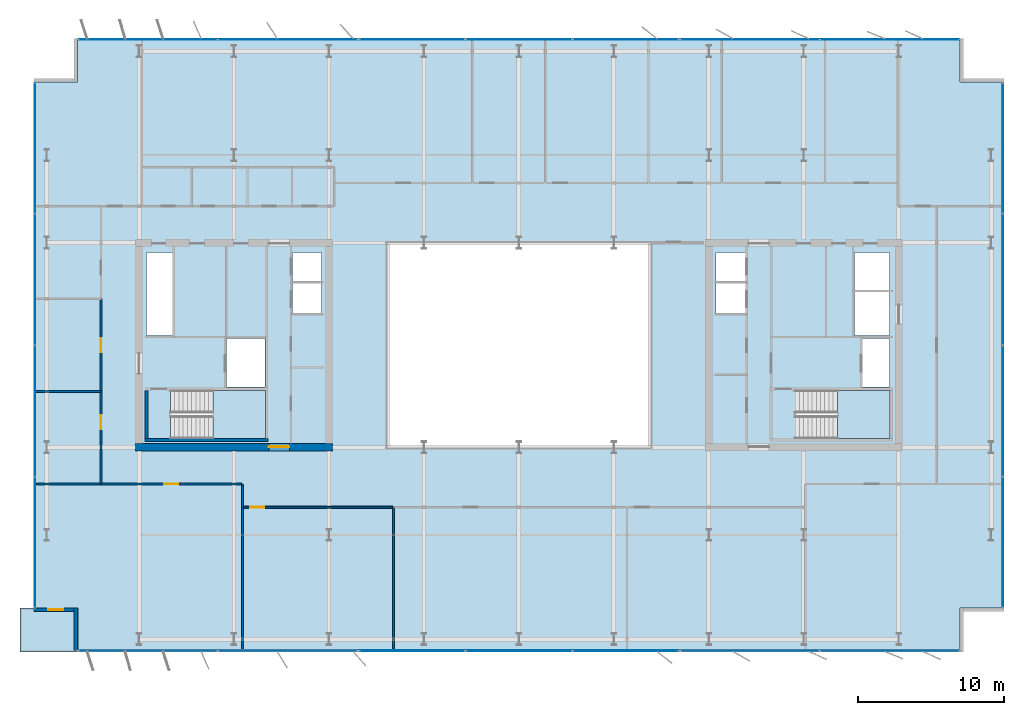
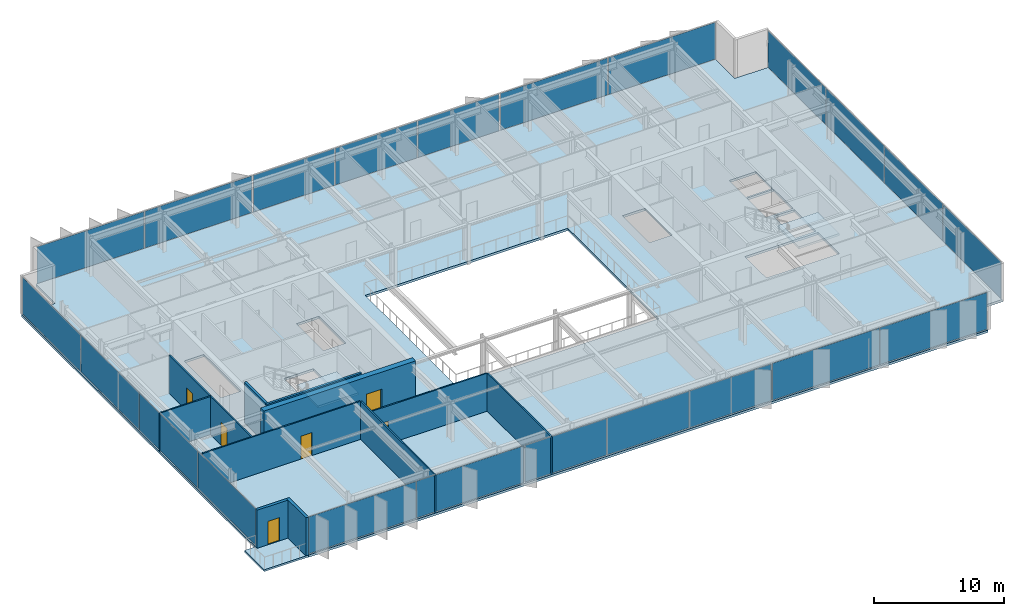
# One storey, part 16 of 23: 22 plates, 12 walls, 6 doors, 4 slabs, 6 openings, 10 elements without a shape of their own.
"""IFC4 building model written with IfcOpenShell, lengths in metres."""

from ifc_helpers import new_model, si_unit, direction, frame, frame_2d, origin, origin_2d, place, context, subcontext, project, spatial, polyline, rectangle, outline, extrude, material, layer, layer_set, type_object, element, fill, aggregate, save


model = new_model("IFC4")

# Units and contexts
model_context = context("Model", 3, precision=1e-05, world=origin(), true_north=direction((0.0, 1.0)))
body_context = subcontext(model_context, "Body", "Model", "MODEL_VIEW")
ifc_project = project(units=[si_unit("LENGTHUNIT", "METRE"), si_unit("AREAUNIT", "SQUARE_METRE"), si_unit("VOLUMEUNIT", "CUBIC_METRE"), si_unit("PLANEANGLEUNIT", "RADIAN"), si_unit("MASSUNIT", "GRAM", prefix="KILO")], contexts=[model_context])

# Site, building, storey
site_placement = place(None, origin())
site = spatial("IfcSite", under=ifc_project, at=site_placement, CompositionType="ELEMENT")
building_placement = place(site_placement, origin())
building = spatial("IfcBuilding", under=site, at=building_placement, Name="Putna Gate Headquarters", CompositionType="ELEMENT")
storey_placement = place(building_placement, frame((0.0, 0.0, 229.0)))
storey = spatial("IfcBuildingStorey", under=building, at=storey_placement, Name="L57", CompositionType="ELEMENT", Elevation=229.0)

# Stair, slab
ifc_material_1 = material(Name="Concrete C40/50", Category="concrete")
stair_type_1 = type_object("IfcStairType", Name="STAIR-ST1", PredefinedType="HALF_TURN_STAIR", material=ifc_material_1)
stair_1_placement = place(storey_placement, origin())
stair_1 = element("IfcStair", 1, at=stair_1_placement, inside=storey, type_object=stair_type_1, Name="L57 West Core Exit Stair ST1", PredefinedType="HALF_TURN_STAIR")
ifc_layer_1 = layer(ifc_material_1, 0.199951171875)
ifc_layer_set_1 = layer_set([ifc_layer_1], Name="Concrete C40/50")
slab_type_1 = type_object("IfcSlabType", Name="LANDING-ST1", PredefinedType="LANDING", material=ifc_layer_set_1)
slab_1_placement = place(storey_placement, frame((0.0, 0.0, 1.699951171875)))
slab_1 = element("IfcSlab", 2, at=slab_1_placement, type_object=slab_type_1, Name="ST1 landing 1", PredefinedType="LANDING", context=body_context, shape_type="SweptSolid", body=[
    extrude(outline(polyline([(18.050048828125, 19.60009765625), (21.64990234375, 19.60009765625), (21.64990234375, 22.89990234375), (18.050048828125, 22.89990234375), (18.050048828125, 19.60009765625)])), origin(), (0.0, 0.0, 1.0), 0.199951171875),
])
aggregate(stair_1, [slab_1])

stair_type_2 = type_object("IfcStairType", Name="STAIR-ST2", PredefinedType="HALF_TURN_STAIR", material=ifc_material_1)
stair_2_placement = place(storey_placement, origin())
stair_2 = element("IfcStair", 3, at=stair_2_placement, inside=storey, type_object=stair_type_2, Name="L57 East Core Exit Stair ST2", PredefinedType="HALF_TURN_STAIR")
ifc_layer_2 = layer(ifc_material_1, 0.199951171875)
ifc_layer_set_2 = layer_set([ifc_layer_2], Name="Concrete C40/50")
slab_type_2 = type_object("IfcSlabType", Name="LANDING-ST2", PredefinedType="LANDING", material=ifc_layer_set_2)
slab_2_placement = place(storey_placement, frame((0.0, 0.0, 1.699951171875)))
slab_2 = element("IfcSlab", 4, at=slab_2_placement, type_object=slab_type_2, Name="ST2 landing 1", PredefinedType="LANDING", context=body_context, shape_type="SweptSolid", body=[
    extrude(outline(polyline([(60.800048828125, 19.60009765625), (64.39990234375, 19.60009765625), (64.39990234375, 22.89990234375), (60.800048828125, 22.89990234375), (60.800048828125, 19.60009765625)])), origin(), (0.0, 0.0, 1.0), 0.199951171875),
])
aggregate(stair_2, [slab_2])

# Curtain wall, plates
ifc_material_2 = material(Name="Anodised bronze aluminium curtain wall", Category="aluminium")
ifc_layer_3 = layer(ifc_material_2, 0.139892578125)
ifc_layer_set_3 = layer_set([ifc_layer_3], Name="Anodised bronze aluminium curtain wall")
curtain_wall_type_1 = type_object("IfcCurtainWallType", Name="CW-SYS-Z4", PredefinedType="USERDEFINED", material=ifc_layer_set_3)
curtain_wall_1_placement = place(storey_placement, origin())
curtain_wall_1 = element("IfcCurtainWall", 5, at=curtain_wall_1_placement, inside=storey, type_object=curtain_wall_type_1, Name="L57 South West Curtain Wall", ObjectType="STICK CURTAIN WALL", PredefinedType="USERDEFINED")
ifc_material_3 = material(Name="Solar-control triple low-E glass", Category="glass")
ifc_layer_4 = layer(ifc_material_3, 0.02587890625)
ifc_layer_set_4 = layer_set([ifc_layer_4], Name="Solar-control triple low-E glass")
plate_type_1 = type_object("IfcPlateType", Name="PAN-CWP-4", PredefinedType="CURTAIN_PANEL", material=ifc_layer_set_4)
plate_1_placement = place(storey_placement, frame((13.614990234375, 5.080078125, 0.06005859375), z_axis=(0.0, 0.0, 1.0), x_axis=(1.0, 0.0, 0.0)))
plate_1 = element("IfcPlate", 6, at=plate_1_placement, type_object=plate_type_1, Name="CWS-4 panel 1.1", PredefinedType="CURTAIN_PANEL", context=body_context, shape_type="SweptSolid", body=[
    extrude(rectangle(XDim=9.510009765625, YDim=0.02587890625, at=origin_2d()), origin(), (0.0, 0.0, 1.0), 3.4599609375),
])
plate_2_placement = place(storey_placement, frame((23.18505859375, 5.080078125, 0.06005859375), z_axis=(0.0, 0.0, 1.0), x_axis=(1.0, 0.0, 0.0)))
plate_2 = element("IfcPlate", 7, at=plate_2_placement, type_object=plate_type_1, Name="CWS-4 panel 2.1", PredefinedType="CURTAIN_PANEL", context=body_context, shape_type="SweptSolid", body=[
    extrude(rectangle(XDim=9.510009765625, YDim=0.02587890625, at=origin_2d()), origin(), (0.0, 0.0, 1.0), 3.4599609375),
])
aggregate(curtain_wall_1, [plate_1, plate_2])

curtain_wall_2_placement = place(storey_placement, origin())
curtain_wall_2 = element("IfcCurtainWall", 8, at=curtain_wall_2_placement, inside=storey, type_object=curtain_wall_type_1, Name="L57 South East Curtain Wall", ObjectType="STICK CURTAIN WALL", PredefinedType="USERDEFINED")
plate_3_placement = place(storey_placement, frame((54.81494140625, 5.080078125, 0.06005859375), z_axis=(0.0, 0.0, 1.0), x_axis=(1.0, 0.0, 0.0)))
plate_3 = element("IfcPlate", 9, at=plate_3_placement, type_object=plate_type_1, Name="CWS-4 panel 1.1", PredefinedType="CURTAIN_PANEL", context=body_context, shape_type="SweptSolid", body=[
    extrude(rectangle(XDim=9.510009765625, YDim=0.02587890625, at=origin_2d()), origin(), (0.0, 0.0, 1.0), 3.4599609375),
])
plate_4_placement = place(storey_placement, frame((64.385009765625, 5.080078125, 0.06005859375), z_axis=(0.0, 0.0, 1.0), x_axis=(1.0, 0.0, 0.0)))
plate_4 = element("IfcPlate", 10, at=plate_4_placement, type_object=plate_type_1, Name="CWS-4 panel 2.1", PredefinedType="CURTAIN_PANEL", context=body_context, shape_type="SweptSolid", body=[
    extrude(rectangle(XDim=9.510009765625, YDim=0.02587890625, at=origin_2d()), origin(), (0.0, 0.0, 1.0), 3.4599609375),
])
aggregate(curtain_wall_2, [plate_3, plate_4])

curtain_wall_3_placement = place(storey_placement, origin())
curtain_wall_3 = element("IfcCurtainWall", 11, at=curtain_wall_3_placement, inside=storey, type_object=curtain_wall_type_1, Name="L57 North West Curtain Wall", ObjectType="STICK CURTAIN WALL", PredefinedType="USERDEFINED")
plate_5_placement = place(storey_placement, frame((13.614990234375, 46.919921875, 0.06005859375), z_axis=(0.0, 0.0, 1.0), x_axis=(1.0, 0.0, 0.0)))
plate_5 = element("IfcPlate", 12, at=plate_5_placement, type_object=plate_type_1, Name="CWS-4 panel 1.1", PredefinedType="CURTAIN_PANEL", context=body_context, shape_type="SweptSolid", body=[
    extrude(rectangle(XDim=9.510009765625, YDim=0.02587890625, at=origin_2d()), origin(), (0.0, 0.0, 1.0), 3.4599609375),
])
plate_6_placement = place(storey_placement, frame((23.18505859375, 46.919921875, 0.06005859375), z_axis=(0.0, 0.0, 1.0), x_axis=(1.0, 0.0, 0.0)))
plate_6 = element("IfcPlate", 13, at=plate_6_placement, type_object=plate_type_1, Name="CWS-4 panel 2.1", PredefinedType="CURTAIN_PANEL", context=body_context, shape_type="SweptSolid", body=[
    extrude(rectangle(XDim=9.510009765625, YDim=0.02587890625, at=origin_2d()), origin(), (0.0, 0.0, 1.0), 3.4599609375),
])
aggregate(curtain_wall_3, [plate_5, plate_6])

curtain_wall_4_placement = place(storey_placement, origin())
curtain_wall_4 = element("IfcCurtainWall", 14, at=curtain_wall_4_placement, inside=storey, type_object=curtain_wall_type_1, Name="L57 North East Curtain Wall", ObjectType="STICK CURTAIN WALL", PredefinedType="USERDEFINED")
plate_7_placement = place(storey_placement, frame((54.81494140625, 46.919921875, 0.06005859375), z_axis=(0.0, 0.0, 1.0), x_axis=(1.0, 0.0, 0.0)))
plate_7 = element("IfcPlate", 15, at=plate_7_placement, type_object=plate_type_1, Name="CWS-4 panel 1.1", PredefinedType="CURTAIN_PANEL", context=body_context, shape_type="SweptSolid", body=[
    extrude(rectangle(XDim=9.510009765625, YDim=0.02587890625, at=origin_2d()), origin(), (0.0, 0.0, 1.0), 3.4599609375),
])
plate_8_placement = place(storey_placement, frame((64.385009765625, 46.919921875, 0.06005859375), z_axis=(0.0, 0.0, 1.0), x_axis=(1.0, 0.0, 0.0)))
plate_8 = element("IfcPlate", 16, at=plate_8_placement, type_object=plate_type_1, Name="CWS-4 panel 2.1", PredefinedType="CURTAIN_PANEL", context=body_context, shape_type="SweptSolid", body=[
    extrude(rectangle(XDim=9.510009765625, YDim=0.02587890625, at=origin_2d()), origin(), (0.0, 0.0, 1.0), 3.4599609375),
])
aggregate(curtain_wall_4, [plate_7, plate_8])

curtain_wall_5_placement = place(storey_placement, origin())
curtain_wall_5 = element("IfcCurtainWall", 17, at=curtain_wall_5_placement, inside=storey, type_object=curtain_wall_type_1, Name="L57 West Curtain Wall", ObjectType="STICK CURTAIN WALL", PredefinedType="USERDEFINED")
plate_9_placement = place(storey_placement, frame((5.8798828125, 12.514892578125, 0.06005859375), z_axis=(0.0, 0.0, 1.0), x_axis=(0.0, 1.0, 0.0)))
plate_9 = element("IfcPlate", 18, at=plate_9_placement, type_object=plate_type_1, Name="CWS-4 panel 1.1", PredefinedType="CURTAIN_PANEL", context=body_context, shape_type="SweptSolid", body=[
    extrude(rectangle(XDim=8.909912109375, YDim=0.02587890625, at=origin_2d()), origin(), (0.0, 0.0, 1.0), 3.4599609375),
])
plate_10_placement = place(storey_placement, frame((5.8798828125, 21.5, 0.06005859375), z_axis=(0.0, 0.0, 1.0), x_axis=(0.0, 1.0, 0.0)))
plate_10 = element("IfcPlate", 19, at=plate_10_placement, type_object=plate_type_1, Name="CWS-4 panel 2.1", PredefinedType="CURTAIN_PANEL", context=body_context, shape_type="SweptSolid", body=[
    extrude(rectangle(XDim=8.93994140625, YDim=0.02587890625, at=origin_2d()), origin(), (0.0, 0.0, 1.0), 3.4599609375),
])
plate_11_placement = place(storey_placement, frame((5.8798828125, 30.5, 0.06005859375), z_axis=(0.0, 0.0, 1.0), x_axis=(0.0, 1.0, 0.0)))
plate_11 = element("IfcPlate", 20, at=plate_11_placement, type_object=plate_type_1, Name="CWS-4 panel 3.1", PredefinedType="CURTAIN_PANEL", context=body_context, shape_type="SweptSolid", body=[
    extrude(rectangle(XDim=8.93994140625, YDim=0.02587890625, at=origin_2d()), origin(), (0.0, 0.0, 1.0), 3.4599609375),
])
plate_12_placement = place(storey_placement, frame((5.8798828125, 39.485107421875, 0.06005859375), z_axis=(0.0, 0.0, 1.0), x_axis=(0.0, 1.0, 0.0)))
plate_12 = element("IfcPlate", 21, at=plate_12_placement, type_object=plate_type_1, Name="CWS-4 panel 4.1", PredefinedType="CURTAIN_PANEL", context=body_context, shape_type="SweptSolid", body=[
    extrude(rectangle(XDim=8.909912109375, YDim=0.02587890625, at=origin_2d()), origin(), (0.0, 0.0, 1.0), 3.4599609375),
])
aggregate(curtain_wall_5, [plate_9, plate_10, plate_11, plate_12])

curtain_wall_6_placement = place(storey_placement, origin())
curtain_wall_6 = element("IfcCurtainWall", 22, at=curtain_wall_6_placement, inside=storey, type_object=curtain_wall_type_1, Name="L57 East Curtain Wall", ObjectType="STICK CURTAIN WALL", PredefinedType="USERDEFINED")
plate_13_placement = place(storey_placement, frame((72.1201171875, 12.514892578125, 0.06005859375), z_axis=(0.0, 0.0, 1.0), x_axis=(0.0, 1.0, 0.0)))
plate_13 = element("IfcPlate", 23, at=plate_13_placement, type_object=plate_type_1, Name="CWS-4 panel 1.1", PredefinedType="CURTAIN_PANEL", context=body_context, shape_type="SweptSolid", body=[
    extrude(rectangle(XDim=8.909912109375, YDim=0.02587890625, at=origin_2d()), origin(), (0.0, 0.0, 1.0), 3.4599609375),
])
plate_14_placement = place(storey_placement, frame((72.1201171875, 21.5, 0.06005859375), z_axis=(0.0, 0.0, 1.0), x_axis=(0.0, 1.0, 0.0)))
plate_14 = element("IfcPlate", 24, at=plate_14_placement, type_object=plate_type_1, Name="CWS-4 panel 2.1", PredefinedType="CURTAIN_PANEL", context=body_context, shape_type="SweptSolid", body=[
    extrude(rectangle(XDim=8.93994140625, YDim=0.02587890625, at=origin_2d()), origin(), (0.0, 0.0, 1.0), 3.4599609375),
])
plate_15_placement = place(storey_placement, frame((72.1201171875, 30.5, 0.06005859375), z_axis=(0.0, 0.0, 1.0), x_axis=(0.0, 1.0, 0.0)))
plate_15 = element("IfcPlate", 25, at=plate_15_placement, type_object=plate_type_1, Name="CWS-4 panel 3.1", PredefinedType="CURTAIN_PANEL", context=body_context, shape_type="SweptSolid", body=[
    extrude(rectangle(XDim=8.93994140625, YDim=0.02587890625, at=origin_2d()), origin(), (0.0, 0.0, 1.0), 3.4599609375),
])
plate_16_placement = place(storey_placement, frame((72.1201171875, 39.485107421875, 0.06005859375), z_axis=(0.0, 0.0, 1.0), x_axis=(0.0, 1.0, 0.0)))
plate_16 = element("IfcPlate", 26, at=plate_16_placement, type_object=plate_type_1, Name="CWS-4 panel 4.1", PredefinedType="CURTAIN_PANEL", context=body_context, shape_type="SweptSolid", body=[
    extrude(rectangle(XDim=8.909912109375, YDim=0.02587890625, at=origin_2d()), origin(), (0.0, 0.0, 1.0), 3.4599609375),
])
aggregate(curtain_wall_6, [plate_13, plate_14, plate_15, plate_16])

ifc_layer_5 = layer(ifc_material_2, 0.179931640625)
ifc_layer_set_5 = layer_set([ifc_layer_5], Name="Anodised bronze aluminium curtain wall")
curtain_wall_type_2 = type_object("IfcCurtainWallType", Name="CW-SYS-ATR", PredefinedType="USERDEFINED", material=ifc_layer_set_5)
curtain_wall_7_placement = place(storey_placement, origin())
curtain_wall_7 = element("IfcCurtainWall", 27, at=curtain_wall_7_placement, inside=storey, type_object=curtain_wall_type_2, Name="L57 South Atrium Clear Glazing", ObjectType="ATRIUM GLAZING", PredefinedType="USERDEFINED")
ifc_material_4 = material(Name="Clear low-iron triple glazing", Category="glass")
ifc_layer_6 = layer(ifc_material_4, 0.0400390625)
ifc_layer_set_6 = layer_set([ifc_layer_6], Name="Clear low-iron triple glazing")
plate_type_2 = type_object("IfcPlateType", Name="PAN-CWP-AT", PredefinedType="CURTAIN_PANEL", material=ifc_layer_set_6)
plate_17_placement = place(storey_placement, frame((31.68408203125, 5.080078125, 0.070068359375), z_axis=(0.0, 0.0, 1.0), x_axis=(1.0, 0.0, 0.0)))
plate_17 = element("IfcPlate", 28, at=plate_17_placement, type_object=plate_type_2, Name="CWS-AT panel 1.1", PredefinedType="CURTAIN_PANEL", context=body_context, shape_type="SweptSolid", body=[
    extrude(rectangle(XDim=7.228271484375, YDim=0.0400390625, at=origin_2d()), origin(), (0.0, 0.0, 1.0), 3.43994140625),
])
plate_18_placement = place(storey_placement, frame((39.0, 5.080078125, 0.070068359375), z_axis=(0.0, 0.0, 1.0), x_axis=(1.0, 0.0, 0.0)))
plate_18 = element("IfcPlate", 29, at=plate_18_placement, type_object=plate_type_2, Name="CWS-AT panel 2.1", PredefinedType="CURTAIN_PANEL", context=body_context, shape_type="SweptSolid", body=[
    extrude(rectangle(XDim=7.263427734375, YDim=0.0400390625, at=origin_2d()), origin(), (0.0, 0.0, 1.0), 3.43994140625),
])
plate_19_placement = place(storey_placement, frame((46.31591796875, 5.080078125, 0.070068359375), z_axis=(0.0, 0.0, 1.0), x_axis=(1.0, 0.0, 0.0)))
plate_19 = element("IfcPlate", 30, at=plate_19_placement, type_object=plate_type_2, Name="CWS-AT panel 3.1", PredefinedType="CURTAIN_PANEL", context=body_context, shape_type="SweptSolid", body=[
    extrude(rectangle(XDim=7.228271484375, YDim=0.0400390625, at=origin_2d()), origin(), (0.0, 0.0, 1.0), 3.43994140625),
])
aggregate(curtain_wall_7, [plate_17, plate_18, plate_19])

curtain_wall_8_placement = place(storey_placement, origin())
curtain_wall_8 = element("IfcCurtainWall", 31, at=curtain_wall_8_placement, inside=storey, type_object=curtain_wall_type_2, Name="L57 North Atrium Clear Glazing", ObjectType="ATRIUM GLAZING", PredefinedType="USERDEFINED")
plate_20_placement = place(storey_placement, frame((31.68408203125, 46.919921875, 0.070068359375), z_axis=(0.0, 0.0, 1.0), x_axis=(1.0, 0.0, 0.0)))
plate_20 = element("IfcPlate", 32, at=plate_20_placement, type_object=plate_type_2, Name="CWS-AT panel 1.1", PredefinedType="CURTAIN_PANEL", context=body_context, shape_type="SweptSolid", body=[
    extrude(rectangle(XDim=7.228271484375, YDim=0.0400390625, at=origin_2d()), origin(), (0.0, 0.0, 1.0), 3.43994140625),
])
plate_21_placement = place(storey_placement, frame((39.0, 46.919921875, 0.070068359375), z_axis=(0.0, 0.0, 1.0), x_axis=(1.0, 0.0, 0.0)))
plate_21 = element("IfcPlate", 33, at=plate_21_placement, type_object=plate_type_2, Name="CWS-AT panel 2.1", PredefinedType="CURTAIN_PANEL", context=body_context, shape_type="SweptSolid", body=[
    extrude(rectangle(XDim=7.263427734375, YDim=0.0400390625, at=origin_2d()), origin(), (0.0, 0.0, 1.0), 3.43994140625),
])
plate_22_placement = place(storey_placement, frame((46.31591796875, 46.919921875, 0.070068359375), z_axis=(0.0, 0.0, 1.0), x_axis=(1.0, 0.0, 0.0)))
plate_22 = element("IfcPlate", 34, at=plate_22_placement, type_object=plate_type_2, Name="CWS-AT panel 3.1", PredefinedType="CURTAIN_PANEL", context=body_context, shape_type="SweptSolid", body=[
    extrude(rectangle(XDim=7.228271484375, YDim=0.0400390625, at=origin_2d()), origin(), (0.0, 0.0, 1.0), 3.43994140625),
])
aggregate(curtain_wall_8, [plate_20, plate_21, plate_22])

# Slabs
ifc_layer_7 = layer(ifc_material_1, 0.179931640625)
ifc_layer_set_7 = layer_set([ifc_layer_7], Name="Concrete C40/50")
slab_type_3 = type_object("IfcSlabType", Name="SLAB-TERRACE-180", PredefinedType="FLOOR", material=ifc_layer_set_7)
slab_3_placement = place(storey_placement, frame((0.0, 0.0, -0.179931640625)))
element("IfcSlab", 35, at=slab_3_placement, inside=storey, type_object=slab_type_3, Name="L57 Spiral Sky-Garden Terrace Slab (SW)", PredefinedType="FLOOR", context=body_context, shape_type="SweptSolid", body=[
    extrude(outline(polyline([(4.85009765625, 5.0), (8.80810546875, 5.0), (8.80810546875, 8.008056640625), (4.85009765625, 8.008056640625), (4.85009765625, 5.0)])), origin(), (0.0, 0.0, 1.0), 0.179931640625),
])
ifc_layer_8 = layer(ifc_material_1, 0.219970703125)
ifc_layer_set_8 = layer_set([ifc_layer_8], Name="Concrete C40/50")
slab_type_4 = type_object("IfcSlabType", Name="SLAB-Z4-220", PredefinedType="FLOOR", material=ifc_layer_set_8)
slab_4_placement = place(storey_placement, frame((0.0, 0.0, -0.219970703125)))
element("IfcSlab", 36, at=slab_4_placement, inside=storey, type_object=slab_type_4, Name="L57 Composite Floor Slab", PredefinedType="FLOOR", context=body_context, shape_type="SweptSolid", body=[
    extrude(outline(polyline([(8.800048828125, 5.0), (69.199951171875, 5.0), (69.199951171875, 8.0), (72.199951171875, 8.0), (72.199951171875, 44.0), (69.199951171875, 44.0), (69.199951171875, 47.0), (8.800048828125, 47.0), (8.800048828125, 44.0), (5.800048828125, 44.0), (5.800048828125, 8.0), (8.800048828125, 8.0), (8.800048828125, 5.0)]), holes=[polyline([(15.1650390625, 19.60009765625), (21.64990234375, 19.60009765625), (21.64990234375, 22.89990234375), (15.1650390625, 22.89990234375), (15.1650390625, 19.60009765625)]), polyline([(57.9150390625, 19.60009765625), (64.39990234375, 19.60009765625), (64.39990234375, 22.89990234375), (57.9150390625, 22.89990234375), (57.9150390625, 19.60009765625)]), polyline([(13.52001953125, 26.659912109375), (15.280029296875, 26.659912109375), (15.280029296875, 32.35009765625), (13.52001953125, 32.35009765625), (13.52001953125, 26.659912109375)]), polyline([(61.969970703125, 29.780029296875), (64.35009765625, 29.780029296875), (64.35009765625, 32.35009765625), (61.969970703125, 32.35009765625), (61.969970703125, 29.780029296875)]), polyline([(18.97998046875, 23.1201171875), (21.6201171875, 23.1201171875), (21.6201171875, 26.4599609375), (18.97998046875, 26.4599609375), (18.97998046875, 23.1201171875)]), polyline([(62.52001953125, 23.1201171875), (64.35009765625, 23.1201171875), (64.35009765625, 26.4599609375), (62.52001953125, 26.4599609375), (62.52001953125, 23.1201171875)]), polyline([(61.969970703125, 26.659912109375), (64.35009765625, 26.659912109375), (64.35009765625, 29.6201171875), (61.969970703125, 29.6201171875), (61.969970703125, 26.659912109375)]), polyline([(23.5, 28.199951171875), (25.5, 28.199951171875), (25.5, 32.35009765625), (23.5, 32.35009765625), (23.5, 28.199951171875)]), polyline([(52.47998046875, 28.199951171875), (54.5, 28.199951171875), (54.5, 32.35009765625), (52.47998046875, 32.35009765625), (52.47998046875, 28.199951171875)]), polyline([(30.0, 19.0), (48.0, 19.0), (48.0, 33.0), (30.0, 33.0), (30.0, 19.0)])]), origin(), (0.0, 0.0, 1.0), 0.219970703125),
])

# Wall, opening, door
ifc_material_5 = material(Name="Concrete C50/60", Category="concrete")
ifc_layer_9 = layer(ifc_material_5, 0.5)
ifc_layer_set_9 = layer_set([ifc_layer_9], Name="Concrete C50/60")
wall_type_1 = type_object("IfcWallType", Name="WALL-CORE-500", PredefinedType="SHEAR", material=ifc_layer_set_9)
wall_1_placement = place(storey_placement, frame((12.75, 19.0, 0.0), z_axis=(0.0, 0.0, 1.0), x_axis=(1.0, 0.0, 0.0)))
wall_1 = element("IfcWall", 37, at=wall_1_placement, inside=storey, type_object=wall_type_1, Name="L57 WC Split Core Shear Wall S", PredefinedType="SHEAR", context=body_context, shape_type="SweptSolid", body=[
    extrude(rectangle(XDim=13.5, YDim=0.5, at=frame_2d((6.75, 0.0))), origin(), (0.0, 0.0, 1.0), 3.800048828125),
])
opening_1_placement = place(wall_1_placement, frame((9.1298828125, 0.0, 0.0)))
opening_1 = element("IfcOpeningElement", 38, at=opening_1_placement, cuts=wall_1, Name="Opening FDD-140", PredefinedType="OPENING", context=body_context, shape_type="SweptSolid", body=[
    extrude(rectangle(XDim=1.39990234375, YDim=2.199951171875, at=frame_2d((0.699951171875, 1.10009765625))), frame((0.0, 0.260009765625, 0.0), z_axis=(0.0, -1.0, 0.0), x_axis=(1.0, 0.0, 0.0)), (0.0, 0.0, 1.0), 0.52001953125),
])
ifc_material_6 = material(Name="Double steel fire door", Category="steel")
door_type_1 = type_object("IfcDoorType", Name="DOOR-FIRE-DBL-1400", OperationType="DOUBLE_DOOR_SINGLE_SWING", PredefinedType="DOOR", material=ifc_material_6)
door_1_placement = place(opening_1_placement, origin())
door_1 = element("IfcDoor", 39, at=door_1_placement, inside=storey, type_object=door_type_1, Name="L57 West Lift Lobby South Door", OperationType="DOUBLE_DOOR_SINGLE_SWING", OverallHeight=2.199951171875, OverallWidth=1.39990234375, PredefinedType="DOOR", context=body_context, shape_type="SweptSolid", body=[
    extrude(rectangle(XDim=1.39990234375, YDim=2.199951171875, at=frame_2d((0.699951171875, 1.10009765625))), frame((0.0, 0.0751953125, 0.0), z_axis=(0.0, -1.0, 0.0), x_axis=(1.0, 0.0, 0.0)), (0.0, 0.0, 1.0), 0.050048828125),
])
fill(opening_1, door_1)

# Wall
ifc_material_7 = material(Name="Precast concrete C40/50", Category="concrete")
ifc_layer_10 = layer(ifc_material_7, 0.239990234375)
ifc_layer_set_10 = layer_set([ifc_layer_10], Name="Precast concrete C40/50")
wall_type_2 = type_object("IfcWallType", Name="WALL-EXT-TERR-240", PredefinedType="STANDARD", material=ifc_layer_set_10)
wall_2_placement = place(storey_placement, frame((8.679931640625, 5.0, 0.0), z_axis=(0.0, 0.0, 1.0), x_axis=(0.0, 1.0, 0.0)))
element("IfcWall", 40, at=wall_2_placement, inside=storey, type_object=wall_type_2, Name="L57 Corner Notch Return Wall SW-V", PredefinedType="STANDARD", context=body_context, shape_type="SweptSolid", body=[
    extrude(rectangle(XDim=3.0, YDim=0.239990234375, at=frame_2d((1.5, 0.0))), origin(), (0.0, 0.0, 1.0), 3.580078125),
])

# Wall, opening, door
wall_3_placement = place(storey_placement, frame((8.800048828125, 7.8798828125, 0.0), z_axis=(0.0, 0.0, 1.0), x_axis=(-1.0, 0.0, 0.0)))
wall_3 = element("IfcWall", 41, at=wall_3_placement, inside=storey, type_object=wall_type_2, Name="L57 Corner Notch Return Wall SW-H", PredefinedType="STANDARD", context=body_context, shape_type="SweptSolid", body=[
    extrude(rectangle(XDim=3.0, YDim=0.239990234375, at=frame_2d((1.5, 0.0))), origin(), (0.0, 0.0, 1.0), 3.580078125),
])
opening_2_placement = place(wall_3_placement, frame((1.0, 0.0, 0.0)))
opening_2 = element("IfcOpeningElement", 42, at=opening_2_placement, cuts=wall_3, Name="Opening TRD-1", PredefinedType="OPENING", context=body_context, shape_type="SweptSolid", body=[
    extrude(rectangle(XDim=1.0, YDim=2.199951171875, at=frame_2d((0.5, 1.10009765625))), frame((0.0, 0.1298828125, 0.0), z_axis=(0.0, -1.0, 0.0), x_axis=(1.0, 0.0, 0.0)), (0.0, 0.0, 1.0), 0.260009765625),
])
ifc_material_8 = material(Name="Thermally broken bronze glazed terrace door")
door_type_2 = type_object("IfcDoorType", Name="DOOR-TERR-EXT-1000", OperationType="NOTDEFINED", PredefinedType="DOOR", material=ifc_material_8)
door_2_placement = place(opening_2_placement, origin())
door_2 = element("IfcDoor", 43, at=door_2_placement, inside=storey, type_object=door_type_2, Name="L57 Spiral Sky Terrace Door SW", OperationType="SINGLE_SWING_LEFT", OverallHeight=2.199951171875, OverallWidth=1.0, PredefinedType="DOOR", context=body_context, shape_type="SweptSolid", body=[
    extrude(rectangle(XDim=1.0, YDim=2.199951171875, at=frame_2d((0.5, 1.10009765625))), frame((0.0, 0.02490234375, 0.0), z_axis=(0.0, -1.0, 0.0), x_axis=(1.0, 0.0, 0.0)), (0.0, 0.0, 1.0), 0.050048828125),
])
fill(opening_2, door_2)

# Walls
ifc_material_9 = material(Name="Acoustic gypsum board on metal stud")
ifc_layer_11 = layer(ifc_material_9, 0.1201171875)
ifc_layer_set_11 = layer_set([ifc_layer_11], Name="Acoustic gypsum board on metal stud")
wall_type_3 = type_object("IfcWallType", Name="WALL-PART-120", PredefinedType="PARTITIONING", material=ifc_layer_set_11)
wall_4_placement = place(storey_placement, frame((20.07958984375, 5.02001953125, 0.0), z_axis=(0.0, 0.0, 1.0), x_axis=(0.0, 1.0, 0.0)))
element("IfcWall", 44, at=wall_4_placement, inside=storey, type_object=wall_type_3, Name="L57 Interior Wall PART-L57-SB-DIV-01", PredefinedType="PARTITIONING", context=body_context, shape_type="SweptSolid", body=[
    extrude(rectangle(XDim=11.419921875, YDim=0.1201171875, at=frame_2d((5.7099609375, 0.0))), origin(), (0.0, 0.0, 1.0), 3.580078125),
])
wall_5_placement = place(storey_placement, frame((30.408203125, 5.02001953125, 0.0), z_axis=(0.0, 0.0, 1.0), x_axis=(0.0, 1.0, 0.0)))
element("IfcWall", 45, at=wall_5_placement, inside=storey, type_object=wall_type_3, Name="L57 Interior Wall PART-L57-SB-DIV-02", PredefinedType="PARTITIONING", context=body_context, shape_type="SweptSolid", body=[
    extrude(rectangle(XDim=9.820068359375, YDim=0.1201171875, at=frame_2d((4.91015625, 0.0))), origin(), (0.0, 0.0, 1.0), 3.580078125),
])
wall_6_placement = place(storey_placement, frame((5.820068359375, 22.833251953125, 0.0), z_axis=(0.0, 0.0, 1.0), x_axis=(1.0, 0.0, 0.0)))
element("IfcWall", 46, at=wall_6_placement, inside=storey, type_object=wall_type_3, Name="L57 Interior Wall PART-L57-WW-DIV-1", PredefinedType="PARTITIONING", context=body_context, shape_type="SweptSolid", body=[
    extrude(rectangle(XDim=4.579833984375, YDim=0.1201171875, at=frame_2d((2.2900390625, 0.0))), origin(), (0.0, 0.0, 1.0), 3.580078125),
])

# Wall, opening, door
ifc_material_10 = material(Name="Fire-rated gypsum board on metal stud")
ifc_layer_12 = layer(ifc_material_10, 0.1201171875)
ifc_layer_set_12 = layer_set([ifc_layer_12], Name="Fire-rated gypsum board on metal stud")
wall_type_4 = type_object("IfcWallType", Name="WALL-PART-120-RATED", PredefinedType="PARTITIONING", material=ifc_layer_set_12)
wall_7_placement = place(storey_placement, frame((5.97998046875, 16.5, 0.0), z_axis=(0.0, 0.0, 1.0), x_axis=(1.0, 0.0, 0.0)))
wall_7 = element("IfcWall", 47, at=wall_7_placement, inside=storey, type_object=wall_type_4, Name="L57 Interior Wall PART-L57-SB-CW-01", PredefinedType="PARTITIONING", context=body_context, shape_type="SweptSolid", body=[
    extrude(rectangle(XDim=14.03955078125, YDim=0.1201171875, at=frame_2d((7.019775390625, 0.0))), origin(), (0.0, 0.0, 1.0), 3.580078125),
])
opening_3_placement = place(wall_7_placement, frame((8.7548828125, 0.0, 0.0)))
opening_3 = element("IfcOpeningElement", 48, at=opening_3_placement, cuts=wall_7, Name="Opening FD-95", PredefinedType="OPENING", context=body_context, shape_type="SweptSolid", body=[
    extrude(rectangle(XDim=0.949951171875, YDim=2.14990234375, at=frame_2d((0.47509765625, 1.074951171875))), frame((0.0, 0.070068359375, 0.0), z_axis=(0.0, -1.0, 0.0), x_axis=(1.0, 0.0, 0.0)), (0.0, 0.0, 1.0), 0.14013671875),
])
ifc_material_11 = material(Name="Acoustic timber fire door", Category="wood")
door_type_3 = type_object("IfcDoorType", Name="DOOR-FIRE-950", OperationType="NOTDEFINED", PredefinedType="DOOR", material=ifc_material_11)
door_3_placement = place(opening_3_placement, origin())
door_3 = element("IfcDoor", 49, at=door_3_placement, inside=storey, type_object=door_type_3, Name="L57 Conference Meeting Room 1 Door", OperationType="SINGLE_SWING_RIGHT", OverallHeight=2.14990234375, OverallWidth=0.949951171875, PredefinedType="DOOR", context=body_context, shape_type="SweptSolid", body=[
    extrude(rectangle(XDim=0.949951171875, YDim=2.14990234375, at=frame_2d((0.47509765625, 1.074951171875))), frame((0.0, 0.02490234375, 0.0), z_axis=(0.0, -1.0, 0.0), x_axis=(1.0, 0.0, 0.0)), (0.0, 0.0, 1.0), 0.050048828125),
])
fill(opening_3, door_3)

wall_8_placement = place(storey_placement, frame((20.139404296875, 14.89990234375, 0.0), z_axis=(0.0, 0.0, 1.0), x_axis=(1.0, 0.0, 0.0)))
wall_8 = element("IfcWall", 50, at=wall_8_placement, inside=storey, type_object=wall_type_4, Name="L57 Interior Wall PART-L57-SB-CW-02", PredefinedType="PARTITIONING", context=body_context, shape_type="SweptSolid", body=[
    extrude(rectangle(XDim=10.208740234375, YDim=0.1201171875, at=frame_2d((5.1044921875, 0.0))), origin(), (0.0, 0.0, 1.0), 3.580078125),
])
opening_4_placement = place(wall_8_placement, frame((0.47998046875, 0.0, 0.0)))
opening_4 = element("IfcOpeningElement", 51, at=opening_4_placement, cuts=wall_8, Name="Opening FD-95", PredefinedType="OPENING", context=body_context, shape_type="SweptSolid", body=[
    extrude(rectangle(XDim=0.949951171875, YDim=2.14990234375, at=frame_2d((0.47509765625, 1.074951171875))), frame((0.0, 0.070068359375, 0.0), z_axis=(0.0, -1.0, 0.0), x_axis=(1.0, 0.0, 0.0)), (0.0, 0.0, 1.0), 0.14013671875),
])
door_4_placement = place(opening_4_placement, origin())
door_4 = element("IfcDoor", 52, at=door_4_placement, inside=storey, type_object=door_type_3, Name="L57 Cellular Office 1 Door", OperationType="SINGLE_SWING_LEFT", OverallHeight=2.14990234375, OverallWidth=0.949951171875, PredefinedType="DOOR", context=body_context, shape_type="SweptSolid", body=[
    extrude(rectangle(XDim=0.949951171875, YDim=2.14990234375, at=frame_2d((0.47509765625, 1.074951171875))), frame((0.0, 0.02490234375, 0.0), z_axis=(0.0, -1.0, 0.0), x_axis=(1.0, 0.0, 0.0)), (0.0, 0.0, 1.0), 0.050048828125),
])
fill(opening_4, door_4)

wall_9_placement = place(storey_placement, frame((10.39990234375, 16.5, 0.0), z_axis=(0.0, 0.0, 1.0), x_axis=(0.0, 1.0, 0.0)))
wall_9 = element("IfcWall", 53, at=wall_9_placement, inside=storey, type_object=wall_type_4, Name="L57 Interior Wall PART-L57-WW-CW-1", PredefinedType="PARTITIONING", context=body_context, shape_type="SweptSolid", body=[
    extrude(rectangle(XDim=6.333251953125, YDim=0.1201171875, at=frame_2d((3.16650390625, 0.0))), origin(), (0.0, 0.0, 1.0), 3.580078125),
])
opening_5_placement = place(wall_9_placement, frame((3.74169921875, 0.0, 0.0)))
opening_5 = element("IfcOpeningElement", 54, at=opening_5_placement, cuts=wall_9, Name="Opening FD-95", PredefinedType="OPENING", context=body_context, shape_type="SweptSolid", body=[
    extrude(rectangle(XDim=0.949951171875, YDim=2.14990234375, at=frame_2d((0.47509765625, 1.074951171875))), frame((0.0, 0.070068359375, 0.0), z_axis=(0.0, -1.0, 0.0), x_axis=(1.0, 0.0, 0.0)), (0.0, 0.0, 1.0), 0.14013671875),
])
door_5_placement = place(opening_5_placement, origin())
door_5 = element("IfcDoor", 55, at=door_5_placement, inside=storey, type_object=door_type_3, Name="L57 West Executive Office 1 Door", OperationType="SINGLE_SWING_LEFT", OverallHeight=2.14990234375, OverallWidth=0.949951171875, PredefinedType="DOOR", context=body_context, shape_type="SweptSolid", body=[
    extrude(rectangle(XDim=0.949951171875, YDim=2.14990234375, at=frame_2d((0.47509765625, 1.074951171875))), frame((0.0, 0.02490234375, 0.0), z_axis=(0.0, -1.0, 0.0), x_axis=(1.0, 0.0, 0.0)), (0.0, 0.0, 1.0), 0.050048828125),
])
fill(opening_5, door_5)

wall_10_placement = place(storey_placement, frame((10.39990234375, 22.833251953125, 0.0), z_axis=(0.0, 0.0, 1.0), x_axis=(0.0, 1.0, 0.0)))
wall_10 = element("IfcWall", 56, at=wall_10_placement, inside=storey, type_object=wall_type_4, Name="L57 Interior Wall PART-L57-WW-CW-2", PredefinedType="PARTITIONING", context=body_context, shape_type="SweptSolid", body=[
    extrude(rectangle(XDim=6.33349609375, YDim=0.1201171875, at=frame_2d((3.166748046875, 0.0))), origin(), (0.0, 0.0, 1.0), 3.580078125),
])
opening_6_placement = place(wall_10_placement, frame((2.691650390625, 0.0, 0.0)))
opening_6 = element("IfcOpeningElement", 57, at=opening_6_placement, cuts=wall_10, Name="Opening FD-95", PredefinedType="OPENING", context=body_context, shape_type="SweptSolid", body=[
    extrude(rectangle(XDim=0.949951171875, YDim=2.14990234375, at=frame_2d((0.47509765625, 1.074951171875))), frame((0.0, 0.070068359375, 0.0), z_axis=(0.0, -1.0, 0.0), x_axis=(1.0, 0.0, 0.0)), (0.0, 0.0, 1.0), 0.14013671875),
])
door_6_placement = place(opening_6_placement, origin())
door_6 = element("IfcDoor", 58, at=door_6_placement, inside=storey, type_object=door_type_3, Name="L57 West Executive Office 2 Door", OperationType="SINGLE_SWING_RIGHT", OverallHeight=2.14990234375, OverallWidth=0.949951171875, PredefinedType="DOOR", context=body_context, shape_type="SweptSolid", body=[
    extrude(rectangle(XDim=0.949951171875, YDim=2.14990234375, at=frame_2d((0.47509765625, 1.074951171875))), frame((0.0, 0.02490234375, 0.0), z_axis=(0.0, -1.0, 0.0), x_axis=(1.0, 0.0, 0.0)), (0.0, 0.0, 1.0), 0.050048828125),
])
fill(opening_6, door_6)

# Walls
ifc_layer_13 = layer(ifc_material_1, 0.199951171875)
ifc_layer_set_13 = layer_set([ifc_layer_13], Name="Concrete C40/50")
wall_type_5 = type_object("IfcWallType", Name="WALL-SHAFT-RC200", PredefinedType="SHEAR", material=ifc_layer_set_13)
wall_11_placement = place(storey_placement, frame((13.409912109375, 19.510009765625, 0.0), z_axis=(0.0, 0.0, 1.0), x_axis=(1.0, 0.0, 0.0)))
element("IfcWall", 59, at=wall_11_placement, inside=storey, type_object=wall_type_5, Name="L57 Stair ST1 Structural Shaft Wall S", PredefinedType="SHEAR", context=body_context, shape_type="SweptSolid", body=[
    extrude(rectangle(XDim=8.43017578125, YDim=0.199951171875, at=frame_2d((4.215087890625, 0.0))), origin(), (0.0, 0.0, 1.0), 3.800048828125),
])
wall_12_placement = place(storey_placement, frame((13.510009765625, 19.610107421875, 0.0), z_axis=(0.0, 0.0, 1.0), x_axis=(0.0, 1.0, 0.0)))
element("IfcWall", 60, at=wall_12_placement, inside=storey, type_object=wall_type_5, Name="L57 Stair ST1 Structural Shaft Wall W", PredefinedType="SHEAR", context=body_context, shape_type="SweptSolid", body=[
    extrude(rectangle(XDim=3.27978515625, YDim=0.199951171875, at=frame_2d((1.639892578125, 0.0))), origin(), (0.0, 0.0, 1.0), 3.800048828125),
])

save(model, "model.ifc")
